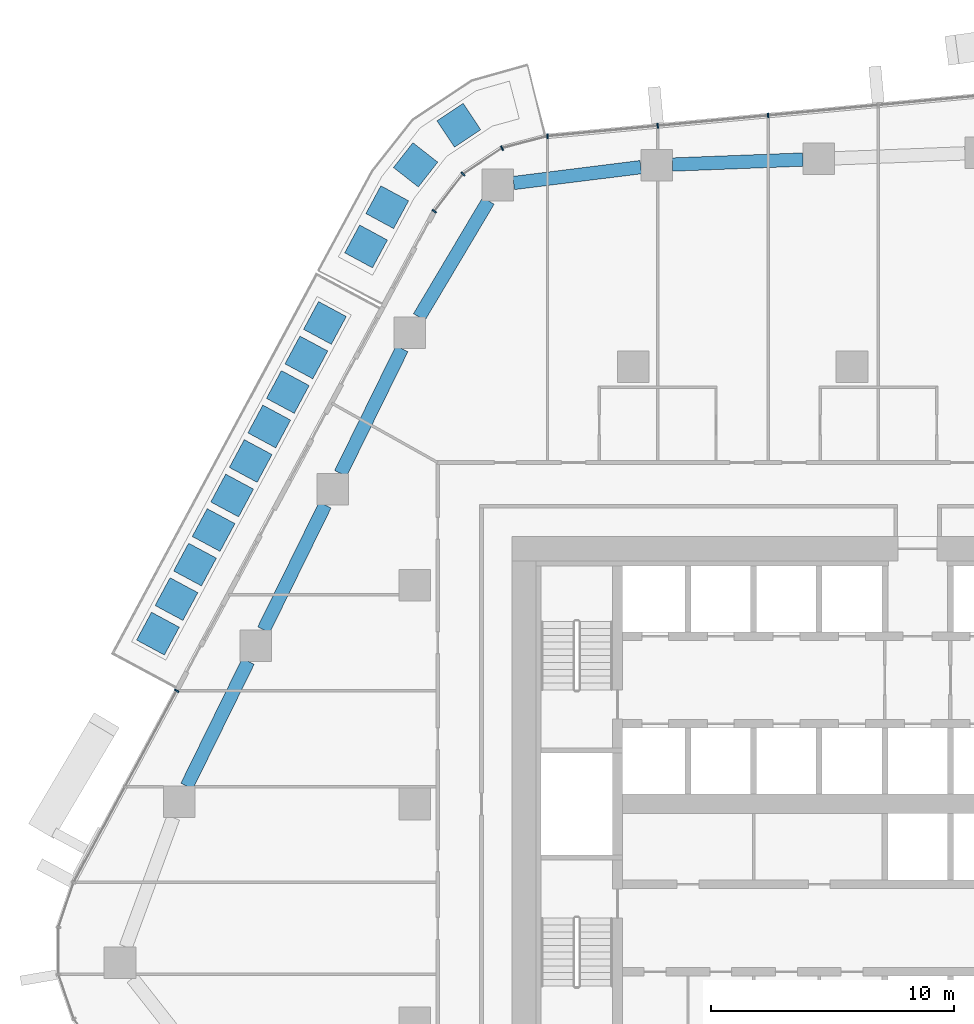
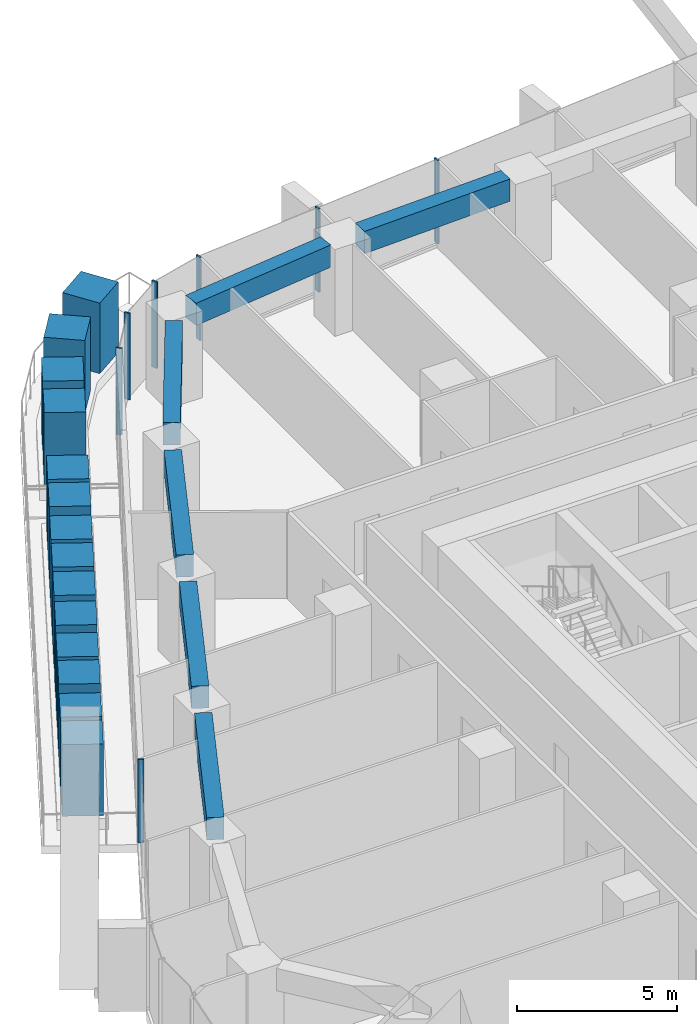
# One storey, part 6 of 23: 21 members, 6 beams, 3 elements without a shape of their own.
"""IFC4 building model written with IfcOpenShell, lengths in metres."""

from ifc_helpers import new_model, si_unit, direction, frame, origin, origin_2d, place, context, subcontext, project, spatial, rectangle, extrude, material, layer, layer_set, material_profile, profile_set, type_object, element, aggregate, save


model = new_model("IFC4")

# Units and contexts
model_context = context("Model", 3, precision=1e-05, world=origin(), true_north=direction((0.0, 1.0)))
body_context = subcontext(model_context, "Body", "Model", "MODEL_VIEW")
ifc_project = project(units=[si_unit("LENGTHUNIT", "METRE"), si_unit("AREAUNIT", "SQUARE_METRE"), si_unit("VOLUMEUNIT", "CUBIC_METRE"), si_unit("PLANEANGLEUNIT", "RADIAN"), si_unit("MASSUNIT", "GRAM", prefix="KILO")], contexts=[model_context])

# Site, building, storey
site_placement = place(None, origin())
site = spatial("IfcSite", under=ifc_project, at=site_placement, CompositionType="ELEMENT")
building_placement = place(site_placement, origin())
building = spatial("IfcBuilding", under=site, at=building_placement, Name="Dongbaek Canopy Tower", CompositionType="ELEMENT")
storey_placement = place(building_placement, frame((0.0, 0.0, 121.10009765625)))
storey = spatial("IfcBuildingStorey", under=building, at=storey_placement, Name="L26", CompositionType="ELEMENT", Elevation=121.10009765625)

# Curtain wall, members
ifc_material_1 = material(Name="Aluminium 6063-T6 pale anodised", Category="aluminium")
ifc_layer = layer(ifc_material_1, 0.199951171875)
ifc_layer_set = layer_set([ifc_layer], Name="CW-1 unitised tower curtain wall")
curtain_wall_type = type_object("IfcCurtainWallType", Name="CW-1 unitised tower curtain wall", PredefinedType="NOTDEFINED", material=ifc_layer_set)
curtain_wall_1_placement = place(storey_placement, origin())
curtain_wall_1 = element("IfcCurtainWall", 1, at=curtain_wall_1_placement, inside=storey, type_object=curtain_wall_type, Name="CW-1 curtain wall F1.1", PredefinedType="NOTDEFINED")
ifc_material_2 = material(Name="Aluminium 6063-T6 pale anodised", Category="aluminium")
ifc_material_profile_1 = material_profile(ifc_material_2, rectangle(XDim=0.199951171875, YDim=0.06005859375, at=origin_2d()), Name="CW-1 mullion 60 x 200")
ifc_profile_set_1 = profile_set([ifc_material_profile_1], Name="Aluminium 6063-T6 pale anodised")
member_type_1 = type_object("IfcMemberType", Name="CW-1 mullion 60 x 200", PredefinedType="MULLION", material=ifc_profile_set_1)
member_1_placement = place(storey_placement, frame((-3.454833984375, 28.332763671875, 0.119873046875), z_axis=(0.0, 0.0, 1.0), x_axis=(-0.093397804951, 0.995628871634, 0.0)))
member_1 = element("IfcMember", 2, at=member_1_placement, type_object=member_type_1, Name="CW-1 mullion F1.1.4", PredefinedType="MULLION", context=body_context, shape_type="SweptSolid", body=[
    extrude(rectangle(XDim=0.199951171875, YDim=0.06005859375, at=origin_2d()), origin(), (0.0, 0.0, 1.0), 3.179931640625),
])
member_2_placement = place(storey_placement, frame((-7.996826171875, 27.90673828125, 0.119873046875), z_axis=(0.0, 0.0, 1.0), x_axis=(-0.093397804951, 0.995628871634, 0.0)))
member_2 = element("IfcMember", 3, at=member_2_placement, type_object=member_type_1, Name="CW-1 mullion F1.1.5", PredefinedType="MULLION", context=body_context, shape_type="SweptSolid", body=[
    extrude(rectangle(XDim=0.199951171875, YDim=0.06005859375, at=origin_2d()), origin(), (0.0, 0.0, 1.0), 3.179931640625),
])
member_3_placement = place(storey_placement, frame((-12.5302734375, 27.4814453125, 0.119873046875), z_axis=(0.0, 0.0, 1.0), x_axis=(-0.093397804951, 0.995628871634, 0.0)))
member_3 = element("IfcMember", 4, at=member_3_placement, type_object=member_type_1, Name="CW-1 mullion F1.1.6", PredefinedType="MULLION", context=body_context, shape_type="SweptSolid", body=[
    extrude(rectangle(XDim=0.199951171875, YDim=0.06005859375, at=origin_2d()), origin(), (0.0, 0.0, 1.0), 3.179931640625),
])
aggregate(curtain_wall_1, [member_1, member_2, member_3])

curtain_wall_2_placement = place(storey_placement, origin())
curtain_wall_2 = element("IfcCurtainWall", 5, at=curtain_wall_2_placement, inside=storey, type_object=curtain_wall_type, Name="CW-1 curtain wall K2.1", PredefinedType="NOTDEFINED")
member_4_placement = place(storey_placement, frame((-14.401123046875, 26.988525390625, 0.0), z_axis=(0.0, 0.0, 1.0), x_axis=(-0.409192831574, 0.912447930892, 0.0)))
member_4 = element("IfcMember", 6, at=member_4_placement, type_object=member_type_1, Name="CW-1 mullion K2.1.2", PredefinedType="MULLION", context=body_context, shape_type="SweptSolid", body=[
    extrude(rectangle(XDim=0.199951171875, YDim=0.06005859375, at=origin_2d()), origin(), (0.0, 0.0, 1.0), 3.2998046875),
])
member_5_placement = place(storey_placement, frame((-16.006591796875, 25.924072265625, 0.0), z_axis=(0.0, 0.0, 1.0), x_axis=(-0.681349256358, 0.731958462524, 0.0)))
member_5 = element("IfcMember", 7, at=member_5_placement, type_object=member_type_1, Name="CW-1 mullion K2.1.3", PredefinedType="MULLION", context=body_context, shape_type="SweptSolid", body=[
    extrude(rectangle(XDim=0.199951171875, YDim=0.06005859375, at=origin_2d()), origin(), (0.0, 0.0, 1.0), 3.2998046875),
])
member_6_placement = place(storey_placement, frame((-17.1884765625, 24.392333984375, 0.0), z_axis=(0.0, 0.0, 1.0), x_axis=(-0.791721529724, 0.610882164883, 0.0)))
member_6 = element("IfcMember", 8, at=member_6_placement, type_object=member_type_1, Name="CW-1 mullion K2.1.4", PredefinedType="MULLION", context=body_context, shape_type="SweptSolid", body=[
    extrude(rectangle(XDim=0.199951171875, YDim=0.06005859375, at=origin_2d()), origin(), (0.0, 0.0, 1.0), 3.2998046875),
])
aggregate(curtain_wall_2, [member_4, member_5, member_6])

# Curtain wall, member
curtain_wall_3_placement = place(storey_placement, origin())
curtain_wall_3 = element("IfcCurtainWall", 9, at=curtain_wall_3_placement, inside=storey, type_object=curtain_wall_type, Name="CW-1 curtain wall F2.1", PredefinedType="NOTDEFINED")
member_7_placement = place(storey_placement, frame((-27.793701171875, 4.65966796875, 0.119873046875), z_axis=(0.0, 0.0, 1.0), x_axis=(-0.880842802858, 0.473408868372, 0.0)))
member_7 = element("IfcMember", 10, at=member_7_placement, type_object=member_type_1, Name="CW-1 mullion F2.1.1", PredefinedType="MULLION", context=body_context, shape_type="SweptSolid", body=[
    extrude(rectangle(XDim=0.199951171875, YDim=0.06005859375, at=origin_2d()), origin(), (0.0, 0.0, 1.0), 3.179931640625),
])
aggregate(curtain_wall_3, [member_7])

# Beams
ifc_material_3 = material(Name="Concrete C80", Category="concrete")
ifc_material_profile_2 = material_profile(ifc_material_3, rectangle(XDim=0.550048828125, YDim=0.85009765625, at=origin_2d()), Name="RC EDGE BEAM 550x850 C80")
ifc_profile_set_2 = profile_set([ifc_material_profile_2], Name="Concrete C80")
beam_type = type_object("IfcBeamType", Name="RC EDGE BEAM 550x850 C80", PredefinedType="BEAM", material=ifc_profile_set_2)
beam_1_placement = place(storey_placement, frame((-27.373291015625, 0.73291015625, 2.875), z_axis=(0.441213203353, 0.89740231178, 0.0), x_axis=(-0.89740231178, 0.441213203353, 0.0)))
element("IfcBeam", 11, at=beam_1_placement, inside=storey, type_object=beam_type, Name="EDGEBEAM:L26:09", PredefinedType="BEAM", context=body_context, shape_type="SweptSolid", body=[
    extrude(rectangle(XDim=0.550048828125, YDim=0.85009765625, at=origin_2d()), origin(), (0.0, 0.0, 1.0), 5.72216796875),
])
beam_2_placement = place(storey_placement, frame((-24.209228515625, 7.16796875, 2.875), z_axis=(0.441418224378, 0.897301482885, 0.0), x_axis=(-0.897301482885, 0.441418224378, 0.0)))
element("IfcBeam", 12, at=beam_2_placement, inside=storey, type_object=beam_type, Name="EDGEBEAM:L26:10", PredefinedType="BEAM", context=body_context, shape_type="SweptSolid", body=[
    extrude(rectangle(XDim=0.550048828125, YDim=0.85009765625, at=origin_2d()), origin(), (0.0, 0.0, 1.0), 5.7216796875),
])
beam_3_placement = place(storey_placement, frame((-21.044189453125, 13.60205078125, 2.875), z_axis=(0.441383867887, 0.89731838339, 0.0), x_axis=(-0.89731838339, 0.441383867887, 0.0)))
element("IfcBeam", 13, at=beam_3_placement, inside=storey, type_object=beam_type, Name="EDGEBEAM:L26:11", PredefinedType="BEAM", context=body_context, shape_type="SweptSolid", body=[
    extrude(rectangle(XDim=0.550048828125, YDim=0.85009765625, at=origin_2d()), origin(), (0.0, 0.0, 1.0), 5.721435546875),
])
beam_4_placement = place(storey_placement, frame((-17.81201171875, 20.035888671875, 2.875), z_axis=(0.511514682827, 0.859274536602, 0.0), x_axis=(-0.859274536602, 0.511514682827, 0.0)))
element("IfcBeam", 14, at=beam_4_placement, inside=storey, type_object=beam_type, Name="EDGEBEAM:L26:12", PredefinedType="BEAM", context=body_context, shape_type="SweptSolid", body=[
    extrude(rectangle(XDim=0.550048828125, YDim=0.85009765625, at=origin_2d()), origin(), (0.0, 0.0, 1.0), 5.570068359375),
])
beam_5_placement = place(storey_placement, frame((-13.926025390625, 25.55322265625, 2.875), z_axis=(0.992297087152, 0.123880954265, 0.0), x_axis=(-0.123880954265, 0.992297087152, 0.0)))
element("IfcBeam", 15, at=beam_5_placement, inside=storey, type_object=beam_type, Name="EDGEBEAM:L26:13", PredefinedType="BEAM", context=body_context, shape_type="SweptSolid", body=[
    extrude(rectangle(XDim=0.550048828125, YDim=0.85009765625, at=origin_2d()), origin(), (0.0, 0.0, 1.0), 5.275634765625),
])
beam_6_placement = place(storey_placement, frame((-7.39111328125, 26.31298828125, 2.875), z_axis=(0.999264392696, 0.038349361015, 0.0), x_axis=(-0.038349361015, 0.999264392696, 0.0)))
element("IfcBeam", 16, at=beam_6_placement, inside=storey, type_object=beam_type, Name="EDGEBEAM:L26:14", PredefinedType="BEAM", context=body_context, shape_type="SweptSolid", body=[
    extrude(rectangle(XDim=0.550048828125, YDim=0.85009765625, at=origin_2d()), origin(), (0.0, 0.0, 1.0), 5.373046875),
])

# Members
ifc_material_4 = material(Name="Concrete C40/50 planter mass with planting", Category="concrete")
ifc_material_profile_3 = material_profile(ifc_material_4, rectangle(XDim=1.300048828125, YDim=1.300048828125, at=origin_2d()), Name="Terrace PLANTER shrub mass 1300 x 1300")
ifc_profile_set_3 = profile_set([ifc_material_profile_3], Name="Concrete C40/50 planter mass with planting")
member_type_2 = type_object("IfcMemberType", Name="Terrace PLANTER shrub mass 1300 x 1300", PredefinedType="USERDEFINED", material=ifc_profile_set_3)
member_8_placement = place(storey_placement, frame((-21.69091796875, 19.7958984375, 0.419921875), z_axis=(0.0, 0.0, 1.0), x_axis=(-0.880842802858, 0.473408868372, 0.0)))
element("IfcMember", 17, at=member_8_placement, inside=storey, type_object=member_type_2, Name="Planter shrubs L26 2.1", ObjectType="PLANTER", PredefinedType="USERDEFINED", context=body_context, shape_type="SweptSolid", body=[
    extrude(rectangle(XDim=1.300048828125, YDim=1.300048828125, at=origin_2d()), origin(), (0.0, 0.0, 1.0), 2.68994140625),
])
member_9_placement = place(storey_placement, frame((-22.454345703125, 18.375244140625, 0.419921875), z_axis=(0.0, 0.0, 1.0), x_axis=(-0.880842802858, 0.473408868372, 0.0)))
element("IfcMember", 18, at=member_9_placement, inside=storey, type_object=member_type_2, Name="Planter shrubs L26 2.2", ObjectType="PLANTER", PredefinedType="USERDEFINED", context=body_context, shape_type="SweptSolid", body=[
    extrude(rectangle(XDim=1.300048828125, YDim=1.300048828125, at=origin_2d()), origin(), (0.0, 0.0, 1.0), 2.780029296875),
])
member_10_placement = place(storey_placement, frame((-23.218017578125, 16.95458984375, 0.419921875), z_axis=(0.0, 0.0, 1.0), x_axis=(-0.880842802858, 0.473408868372, 0.0)))
element("IfcMember", 19, at=member_10_placement, inside=storey, type_object=member_type_2, Name="Planter shrubs L26 2.3", ObjectType="PLANTER", PredefinedType="USERDEFINED", context=body_context, shape_type="SweptSolid", body=[
    extrude(rectangle(XDim=1.300048828125, YDim=1.300048828125, at=origin_2d()), origin(), (0.0, 0.0, 1.0), 2.64990234375),
])
member_11_placement = place(storey_placement, frame((-23.9814453125, 15.533935546875, 0.419921875), z_axis=(0.0, 0.0, 1.0), x_axis=(-0.880842802858, 0.473408868372, 0.0)))
element("IfcMember", 20, at=member_11_placement, inside=storey, type_object=member_type_2, Name="Planter shrubs L26 2.4", ObjectType="PLANTER", PredefinedType="USERDEFINED", context=body_context, shape_type="SweptSolid", body=[
    extrude(rectangle(XDim=1.300048828125, YDim=1.300048828125, at=origin_2d()), origin(), (0.0, 0.0, 1.0), 2.72998046875),
])
member_12_placement = place(storey_placement, frame((-24.744873046875, 14.11328125, 0.419921875), z_axis=(0.0, 0.0, 1.0), x_axis=(-0.880842802858, 0.473408868372, 0.0)))
element("IfcMember", 21, at=member_12_placement, inside=storey, type_object=member_type_2, Name="Planter shrubs L26 2.5", ObjectType="PLANTER", PredefinedType="USERDEFINED", context=body_context, shape_type="SweptSolid", body=[
    extrude(rectangle(XDim=1.300048828125, YDim=1.300048828125, at=origin_2d()), origin(), (0.0, 0.0, 1.0), 2.780029296875),
])
member_13_placement = place(storey_placement, frame((-25.508544921875, 12.692626953125, 0.419921875), z_axis=(0.0, 0.0, 1.0), x_axis=(-0.880842802858, 0.473408868372, 0.0)))
element("IfcMember", 22, at=member_13_placement, inside=storey, type_object=member_type_2, Name="Planter shrubs L26 2.6", ObjectType="PLANTER", PredefinedType="USERDEFINED", context=body_context, shape_type="SweptSolid", body=[
    extrude(rectangle(XDim=1.300048828125, YDim=1.300048828125, at=origin_2d()), origin(), (0.0, 0.0, 1.0), 2.77001953125),
])
member_14_placement = place(storey_placement, frame((-26.27197265625, 11.27197265625, 0.419921875), z_axis=(0.0, 0.0, 1.0), x_axis=(-0.880842802858, 0.473408868372, 0.0)))
element("IfcMember", 23, at=member_14_placement, inside=storey, type_object=member_type_2, Name="Planter shrubs L26 2.7", ObjectType="PLANTER", PredefinedType="USERDEFINED", context=body_context, shape_type="SweptSolid", body=[
    extrude(rectangle(XDim=1.300048828125, YDim=1.300048828125, at=origin_2d()), origin(), (0.0, 0.0, 1.0), 2.68994140625),
])
member_15_placement = place(storey_placement, frame((-27.03564453125, 9.851318359375, 0.419921875), z_axis=(0.0, 0.0, 1.0), x_axis=(-0.880842802858, 0.473408868372, 0.0)))
element("IfcMember", 24, at=member_15_placement, inside=storey, type_object=member_type_2, Name="Planter shrubs L26 2.8", ObjectType="PLANTER", PredefinedType="USERDEFINED", context=body_context, shape_type="SweptSolid", body=[
    extrude(rectangle(XDim=1.300048828125, YDim=1.300048828125, at=origin_2d()), origin(), (0.0, 0.0, 1.0), 2.780029296875),
])
member_16_placement = place(storey_placement, frame((-27.799072265625, 8.4306640625, 0.419921875), z_axis=(0.0, 0.0, 1.0), x_axis=(-0.880842802858, 0.473408868372, 0.0)))
element("IfcMember", 25, at=member_16_placement, inside=storey, type_object=member_type_2, Name="Planter shrubs L26 2.9", ObjectType="PLANTER", PredefinedType="USERDEFINED", context=body_context, shape_type="SweptSolid", body=[
    extrude(rectangle(XDim=1.300048828125, YDim=1.300048828125, at=origin_2d()), origin(), (0.0, 0.0, 1.0), 2.64990234375),
])
member_17_placement = place(storey_placement, frame((-28.5625, 7.010009765625, 0.419921875), z_axis=(0.0, 0.0, 1.0), x_axis=(-0.880842802858, 0.473408868372, 0.0)))
element("IfcMember", 26, at=member_17_placement, inside=storey, type_object=member_type_2, Name="Planter shrubs L26 2.10", ObjectType="PLANTER", PredefinedType="USERDEFINED", context=body_context, shape_type="SweptSolid", body=[
    extrude(rectangle(XDim=1.300048828125, YDim=1.300048828125, at=origin_2d()), origin(), (0.0, 0.0, 1.0), 2.72998046875),
])
member_18_placement = place(storey_placement, frame((-16.1806640625, 27.92919921875, 0.419921875), z_axis=(0.0, 0.0, 1.0), x_axis=(-0.552688541068, 0.833387890824, 0.0)))
element("IfcMember", 27, at=member_18_placement, inside=storey, type_object=member_type_2, Name="Planter shrubs L26 6.1", ObjectType="PLANTER", PredefinedType="USERDEFINED", context=body_context, shape_type="SweptSolid", body=[
    extrude(rectangle(XDim=1.300048828125, YDim=1.300048828125, at=origin_2d()), origin(), (0.0, 0.0, 1.0), 2.68994140625),
])
member_19_placement = place(storey_placement, frame((-17.958984375, 26.30078125, 0.419921875), z_axis=(0.0, 0.0, 1.0), x_axis=(-0.787326145828, 0.616536730532, 0.0)))
element("IfcMember", 28, at=member_19_placement, inside=storey, type_object=member_type_2, Name="Planter shrubs L26 6.2", ObjectType="PLANTER", PredefinedType="USERDEFINED", context=body_context, shape_type="SweptSolid", body=[
    extrude(rectangle(XDim=1.300048828125, YDim=1.300048828125, at=origin_2d()), origin(), (0.0, 0.0, 1.0), 2.780029296875),
])
member_20_placement = place(storey_placement, frame((-19.126220703125, 24.55859375, 0.419921875), z_axis=(0.0, 0.0, 1.0), x_axis=(-0.880109186009, 0.474771335174, 0.0)))
element("IfcMember", 29, at=member_20_placement, inside=storey, type_object=member_type_2, Name="Planter shrubs L26 6.3", ObjectType="PLANTER", PredefinedType="USERDEFINED", context=body_context, shape_type="SweptSolid", body=[
    extrude(rectangle(XDim=1.300048828125, YDim=1.300048828125, at=origin_2d()), origin(), (0.0, 0.0, 1.0), 2.64990234375),
])
member_21_placement = place(storey_placement, frame((-19.99755859375, 22.943359375, 0.419921875), z_axis=(0.0, 0.0, 1.0), x_axis=(-0.880109186009, 0.474771335174, 0.0)))
element("IfcMember", 30, at=member_21_placement, inside=storey, type_object=member_type_2, Name="Planter shrubs L26 6.4", ObjectType="PLANTER", PredefinedType="USERDEFINED", context=body_context, shape_type="SweptSolid", body=[
    extrude(rectangle(XDim=1.300048828125, YDim=1.300048828125, at=origin_2d()), origin(), (0.0, 0.0, 1.0), 2.72998046875),
])

save(model, "model.ifc")
